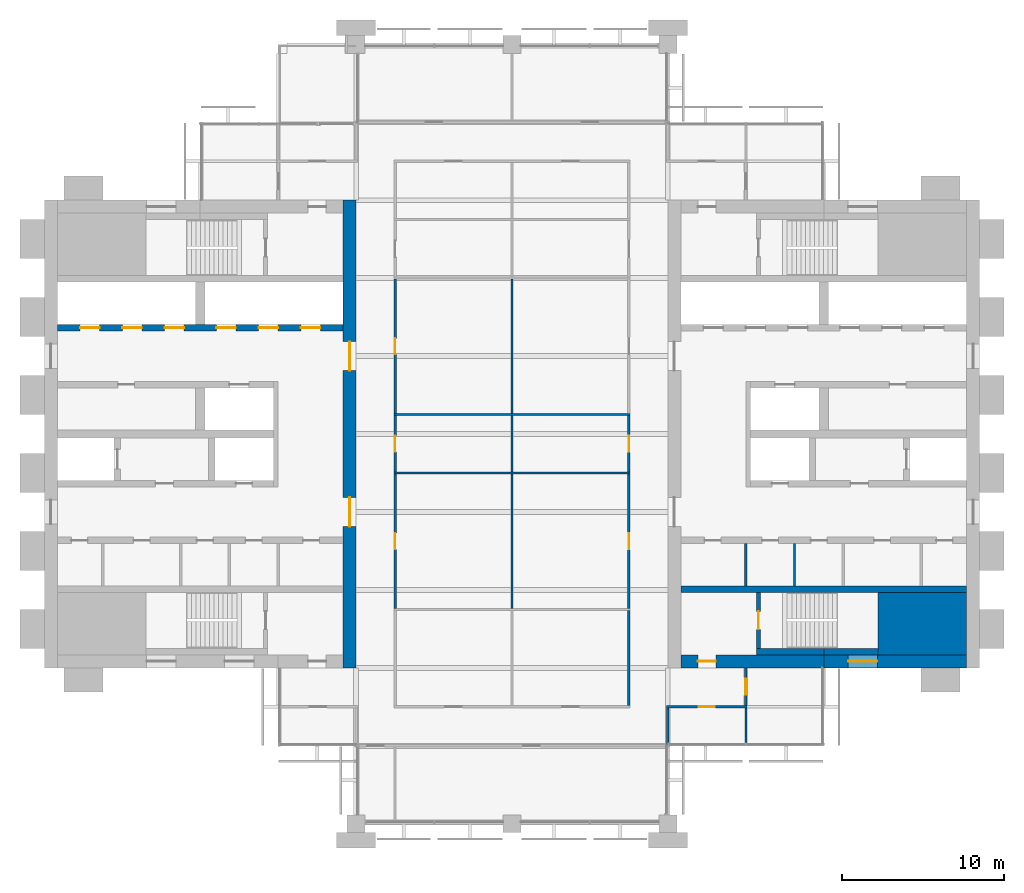
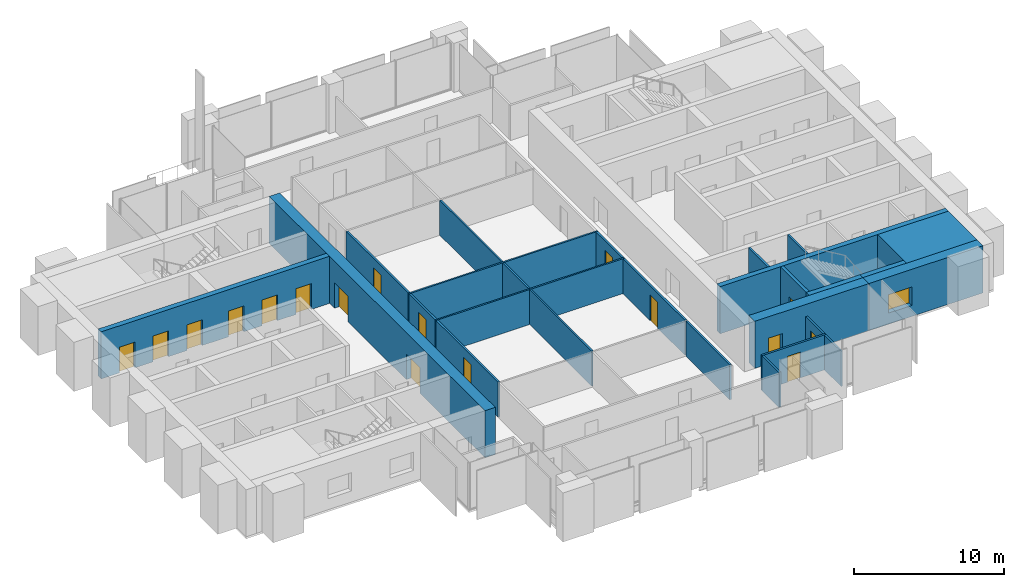
# One storey, part 9 of 13: 26 walls, 17 doors, 1 window, 18 openings.
"""IFC4 building model written with IfcOpenShell, lengths in metres."""

from ifc_helpers import new_model, si_unit, direction, frame, frame_2d, origin, place, context, subcontext, project, spatial, rectangle, extrude, material, layer, layer_set, type_object, element, fill, save


model = new_model("IFC4")

# Units and contexts
model_context = context("Model", 3, precision=1e-05, world=origin(), true_north=direction((0.0, 1.0)))
body_context = subcontext(model_context, "Body", "Model", "MODEL_VIEW")
ifc_project = project(units=[si_unit("LENGTHUNIT", "METRE"), si_unit("AREAUNIT", "SQUARE_METRE"), si_unit("VOLUMEUNIT", "CUBIC_METRE"), si_unit("PLANEANGLEUNIT", "RADIAN"), si_unit("MASSUNIT", "GRAM", prefix="KILO")], contexts=[model_context])

# Site, building, storey
site_placement = place(None, origin())
site = spatial("IfcSite", under=ifc_project, at=site_placement, CompositionType="ELEMENT")
building_placement = place(site_placement, origin())
building = spatial("IfcBuilding", under=site, at=building_placement, Name="Baori Bourse Tower", CompositionType="ELEMENT")
storey_placement = place(building_placement, frame((0.0, 0.0, 229.199951171875)))
storey = spatial("IfcBuildingStorey", under=building, at=storey_placement, Name="L50", CompositionType="ELEMENT", Elevation=229.199951171875)

# Walls
ifc_material_1 = material(Name="Concrete f'c 50 MPa", Category="concrete")
wall_type_1 = type_object("IfcWallType", Name="Core corner block f'c 50", PredefinedType="SHEAR", material=ifc_material_1)
wall_1_placement = place(storey_placement, frame((51.35009765625, 12.324951171875, 0.0), z_axis=(0.0, 0.0, 1.0), x_axis=(1.0, 0.0, 0.0)))
element("IfcWall", 1, at=wall_1_placement, inside=storey, type_object=wall_type_1, Name="Core wall E05", PredefinedType="SHEAR", context=body_context, shape_type="SweptSolid", body=[
    extrude(rectangle(XDim=5.449951171875, YDim=3.85009765625, at=frame_2d((2.72509765625, 0.0))), origin(), (0.0, 0.0, 1.0), 3.840087890625),
])
ifc_material_2 = material(Name="Blockwork partition", Category="masonry")
ifc_layer_1 = layer(ifc_material_2, 0.14990234375)
ifc_layer_set_1 = layer_set([ifc_layer_1], Name="Core partition 150")
wall_type_2 = type_object("IfcWallType", Name="Core partition 150", PredefinedType="PARTITIONING", material=ifc_layer_set_1)
for number, where, z_axis, x_axis, name in (
    (2, (46.199951171875, 14.64990234375, 0.0), (0.0, 0.0, 1.0), (0.0, 1.0, 0.0), "Partition wall E12"),
    (3, (43.199951171875, 14.64990234375, 0.0), (0.0, 0.0, 1.0), (0.0, 1.0, 0.0), "Partition wall E13"),
):
    element("IfcWall", number, at=place(storey_placement, frame(where, z_axis=z_axis, x_axis=x_axis)), inside=storey, type_object=wall_type_2, Name=name, PredefinedType="PARTITIONING", context=body_context, shape_type="SweptSolid", body=[
        extrude(rectangle(XDim=2.60009765625, YDim=0.14990234375, at=frame_2d((1.300048828125, 0.0))), origin(), (0.0, 0.0, 1.0), 3.840087890625),
    ])

# Wall, openings, doors
ifc_material_3 = material(Name="Concrete f'c 50 MPa", Category="concrete")
ifc_layer_2 = layer(ifc_material_3, 0.800048828125)
ifc_layer_set_2 = layer_set([ifc_layer_2], Name="Core wall 800 f'c 50")
wall_type_3 = type_object("IfcWallType", Name="Core wall 800 f'c 50", PredefinedType="SHEAR", material=ifc_layer_set_2)
wall_2_placement = place(storey_placement, frame((18.800048828125, 38.39990234375, 0.0), z_axis=(0.0, 0.0, 1.0), x_axis=(0.0, -1.0, 0.0)))
wall_2 = element("IfcWall", 4, at=wall_2_placement, inside=storey, type_object=wall_type_3, Name="Core wall W04", PredefinedType="SHEAR", context=body_context, shape_type="SweptSolid", body=[
    extrude(rectangle(XDim=28.7998046875, YDim=0.800048828125, at=frame_2d((14.39990234375, 0.0))), origin(), (0.0, 0.0, 1.0), 3.840087890625),
])
opening_1_placement = place(wall_2_placement, frame((18.300048828125, 0.0, 0.0)))
opening_1 = element("IfcOpeningElement", 5, at=opening_1_placement, cuts=wall_2, Name="Opening L50-D107", PredefinedType="OPENING", context=body_context, shape_type="SweptSolid", body=[
    extrude(rectangle(XDim=1.800048828125, YDim=2.10009765625, at=frame_2d((0.89990234375, 1.050048828125))), frame((0.0, 0.409912109375, 0.0), z_axis=(0.0, -1.0, 0.0), x_axis=(1.0, 0.0, 0.0)), (0.0, 0.0, 1.0), 0.820068359375),
])
opening_2_placement = place(wall_2_placement, frame((8.699951171875, 0.0, 0.0)))
opening_2 = element("IfcOpeningElement", 6, at=opening_2_placement, cuts=wall_2, Name="Opening L50-D108", PredefinedType="OPENING", context=body_context, shape_type="SweptSolid", body=[
    extrude(rectangle(XDim=1.800048828125, YDim=2.10009765625, at=frame_2d((0.89990234375, 1.050048828125))), frame((0.0, 0.409912109375, 0.0), z_axis=(0.0, -1.0, 0.0), x_axis=(1.0, 0.0, 0.0)), (0.0, 0.0, 1.0), 0.820068359375),
])
ifc_material_4 = material(Name="Painted steel door", Category="steel")
door_type_1 = type_object("IfcDoorType", Name="Core lobby door 1800", OperationType="DOUBLE_DOOR_SINGLE_SWING", PredefinedType="DOOR", material=ifc_material_4)
door_1_placement = place(opening_1_placement, origin())
door_1 = element("IfcDoor", 7, at=door_1_placement, inside=storey, type_object=door_type_1, Name="Lobby door W L50", OperationType="DOUBLE_DOOR_SINGLE_SWING", OverallHeight=2.10009765625, OverallWidth=1.800048828125, PredefinedType="DOOR", context=body_context, shape_type="SweptSolid", body=[
    extrude(rectangle(XDim=1.800048828125, YDim=2.10009765625, at=frame_2d((0.89990234375, 1.050048828125))), frame((0.0, 0.02490234375, 0.0), z_axis=(0.0, -1.0, 0.0), x_axis=(1.0, 0.0, 0.0)), (0.0, 0.0, 1.0), 0.050048828125),
])
fill(opening_1, door_1)
door_2_placement = place(opening_2_placement, origin())
door_2 = element("IfcDoor", 8, at=door_2_placement, inside=storey, type_object=door_type_1, Name="Lobby door W L50", OperationType="DOUBLE_DOOR_SINGLE_SWING", OverallHeight=2.10009765625, OverallWidth=1.800048828125, PredefinedType="DOOR", context=body_context, shape_type="SweptSolid", body=[
    extrude(rectangle(XDim=1.800048828125, YDim=2.10009765625, at=frame_2d((0.89990234375, 1.050048828125))), frame((0.0, 0.02490234375, 0.0), z_axis=(0.0, -1.0, 0.0), x_axis=(1.0, 0.0, 0.0)), (0.0, 0.0, 1.0), 0.050048828125),
])
fill(opening_2, door_2)

# Wall, opening, window
wall_3_placement = place(storey_placement, frame((56.800048828125, 10.0, 0.0), z_axis=(0.0, 0.0, 1.0), x_axis=(-1.0, 0.0, 0.0)))
wall_3 = element("IfcWall", 9, at=wall_3_placement, inside=storey, type_object=wall_type_3, Name="Core wall E02", PredefinedType="SHEAR", context=body_context, shape_type="SweptSolid", body=[
    extrude(rectangle(XDim=8.800048828125, YDim=0.800048828125, at=frame_2d((4.39990234375, 0.0))), origin(), (0.0, 0.0, 1.0), 3.840087890625),
])
opening_3_placement = place(wall_3_placement, frame((5.5, 0.0, 0.89990234375)))
opening_3 = element("IfcOpeningElement", 10, at=opening_3_placement, cuts=wall_3, Name="Opening L50-KW203", PredefinedType="OPENING", context=body_context, shape_type="SweptSolid", body=[
    extrude(rectangle(XDim=1.800048828125, YDim=1.5, at=frame_2d((0.89990234375, 0.75))), frame((0.0, 0.409912109375, 0.0), z_axis=(0.0, -1.0, 0.0), x_axis=(1.0, 0.0, 0.0)), (0.0, 0.0, 1.0), 0.820068359375),
])
ifc_material_5 = material(Name="Pale anodised aluminium", Category="aluminium")
window_type = type_object("IfcWindowType", Name="Stair window 1800 x 1500", PartitioningType="SINGLE_PANEL", PredefinedType="WINDOW", material=ifc_material_5)
window_placement = place(opening_3_placement, origin())
window = element("IfcWindow", 11, at=window_placement, inside=storey, type_object=window_type, Name="Stair window E L50 3", OverallHeight=1.5, OverallWidth=1.800048828125, PartitioningType="SINGLE_PANEL", PredefinedType="WINDOW", context=body_context, shape_type="SweptSolid", body=[
    extrude(rectangle(XDim=1.800048828125, YDim=1.5, at=frame_2d((0.89990234375, 0.75))), frame((0.0, 0.030029296875, 0.0), z_axis=(0.0, -1.0, 0.0), x_axis=(1.0, 0.0, 0.0)), (0.0, 0.0, 1.0), 0.06005859375),
])
fill(opening_3, window)

# Wall, opening, door
wall_4_placement = place(storey_placement, frame((48.0, 10.0, 0.0), z_axis=(0.0, 0.0, 1.0), x_axis=(-1.0, 0.0, 0.0)))
wall_4 = element("IfcWall", 12, at=wall_4_placement, inside=storey, type_object=wall_type_3, Name="Core wall E03", PredefinedType="SHEAR", context=body_context, shape_type="SweptSolid", body=[
    extrude(rectangle(XDim=8.800048828125, YDim=0.800048828125, at=frame_2d((4.39990234375, 0.0))), origin(), (0.0, 0.0, 1.0), 3.840087890625),
])
opening_4_placement = place(wall_4_placement, frame((6.64990234375, 0.0, 0.0)))
opening_4 = element("IfcOpeningElement", 13, at=opening_4_placement, cuts=wall_4, Name="Opening L50-D202", PredefinedType="OPENING", context=body_context, shape_type="SweptSolid", body=[
    extrude(rectangle(XDim=1.10009765625, YDim=2.10009765625, at=frame_2d((0.550048828125, 1.050048828125))), frame((0.0, 0.409912109375, 0.0), z_axis=(0.0, -1.0, 0.0), x_axis=(1.0, 0.0, 0.0)), (0.0, 0.0, 1.0), 0.820068359375),
])
ifc_material_6 = material(Name="Painted steel door", Category="steel")
door_type_2 = type_object("IfcDoorType", Name="Stair door 1100", OperationType="SINGLE_SWING_LEFT", PredefinedType="DOOR", material=ifc_material_6)
door_3_placement = place(opening_4_placement, origin())
door_3 = element("IfcDoor", 14, at=door_3_placement, inside=storey, type_object=door_type_2, Name="Stair vestibule door A E L50", OperationType="SINGLE_SWING_LEFT", OverallHeight=2.10009765625, OverallWidth=1.10009765625, PredefinedType="DOOR", context=body_context, shape_type="SweptSolid", body=[
    extrude(rectangle(XDim=1.10009765625, YDim=2.10009765625, at=frame_2d((0.550048828125, 1.050048828125))), frame((0.0, 0.02490234375, 0.0), z_axis=(0.0, -1.0, 0.0), x_axis=(1.0, 0.0, 0.0)), (0.0, 0.0, 1.0), 0.050048828125),
])
fill(opening_4, door_3)

ifc_material_7 = material(Name="Gypsum board partition")
ifc_layer_3 = layer(ifc_material_7, 0.14990234375)
ifc_layer_set_3 = layer_set([ifc_layer_3], Name="Corridor partition 150")
wall_type_4 = type_object("IfcWallType", Name="Corridor partition 150", PredefinedType="PARTITIONING", material=ifc_layer_set_3)
wall_5_placement = place(storey_placement, frame((38.324951171875, 7.199951171875, 0.0), z_axis=(0.0, 0.0, 1.0), x_axis=(1.0, 0.0, 0.0)))
wall_5 = element("IfcWall", 15, at=wall_5_placement, inside=storey, type_object=wall_type_4, Name="Partition", PredefinedType="PARTITIONING", context=body_context, shape_type="SweptSolid", body=[
    extrude(rectangle(XDim=4.949951171875, YDim=0.14990234375, at=frame_2d((2.47509765625, 0.0))), origin(), (0.0, 0.0, 1.0), 2.849365234375),
])
opening_5_placement = place(wall_5_placement, frame((1.97509765625, 0.0, 0.0)))
opening_5 = element("IfcOpeningElement", 16, at=opening_5_placement, cuts=wall_5, Name="Opening L50-D06", PredefinedType="OPENING", context=body_context, shape_type="SweptSolid", body=[
    extrude(rectangle(XDim=1.0, YDim=2.10009765625, at=frame_2d((0.5, 1.050048828125))), frame((0.0, 0.0849609375, 0.0), z_axis=(0.0, -1.0, 0.0), x_axis=(1.0, 0.0, 0.0)), (0.0, 0.0, 1.0), 0.169921875),
])
ifc_material_8 = material(Name="Timber door leaf", Category="wood")
door_type_3 = type_object("IfcDoorType", Name="Door 1000 x 2100", OperationType="SINGLE_SWING_LEFT", PredefinedType="DOOR", material=ifc_material_8)
door_4_placement = place(opening_5_placement, origin())
door_4 = element("IfcDoor", 17, at=door_4_placement, inside=storey, type_object=door_type_3, Name="Door", OperationType="SINGLE_SWING_LEFT", OverallHeight=2.10009765625, OverallWidth=1.0, PredefinedType="DOOR", context=body_context, shape_type="SweptSolid", body=[
    extrude(rectangle(XDim=1.0, YDim=2.10009765625, at=frame_2d((0.5, 1.050048828125))), frame((0.0, 0.02490234375, 0.0), z_axis=(0.0, -1.0, 0.0), x_axis=(1.0, 0.0, 0.0)), (0.0, 0.0, 1.0), 0.050048828125),
])
fill(opening_5, door_4)

wall_6_placement = place(storey_placement, frame((21.60009765625, 13.262451171875, 0.0), z_axis=(0.0, 0.0, 1.0), x_axis=(0.0, 1.0, 0.0)))
wall_6 = element("IfcWall", 18, at=wall_6_placement, inside=storey, type_object=wall_type_4, Name="Partition", PredefinedType="PARTITIONING", context=body_context, shape_type="SweptSolid", body=[
    extrude(rectangle(XDim=8.275146484375, YDim=0.14990234375, at=frame_2d((4.1376953125, 0.0))), origin(), (0.0, 0.0, 1.0), 2.849365234375),
])
opening_6_placement = place(wall_6_placement, frame((3.637451171875, 0.0, 0.0)))
opening_6 = element("IfcOpeningElement", 19, at=opening_6_placement, cuts=wall_6, Name="Opening L50-D14", PredefinedType="OPENING", context=body_context, shape_type="SweptSolid", body=[
    extrude(rectangle(XDim=1.0, YDim=2.10009765625, at=frame_2d((0.5, 1.050048828125))), frame((0.0, 0.0849609375, 0.0), z_axis=(0.0, -1.0, 0.0), x_axis=(1.0, 0.0, 0.0)), (0.0, 0.0, 1.0), 0.169921875),
])
door_5_placement = place(opening_6_placement, origin())
door_5 = element("IfcDoor", 20, at=door_5_placement, inside=storey, type_object=door_type_3, Name="Door", OperationType="SINGLE_SWING_LEFT", OverallHeight=2.10009765625, OverallWidth=1.0, PredefinedType="DOOR", context=body_context, shape_type="SweptSolid", body=[
    extrude(rectangle(XDim=1.0, YDim=2.10009765625, at=frame_2d((0.5, 1.050048828125))), frame((0.0, 0.02490234375, 0.0), z_axis=(0.0, -1.0, 0.0), x_axis=(1.0, 0.0, 0.0)), (0.0, 0.0, 1.0), 0.050048828125),
])
fill(opening_6, door_5)

wall_7_placement = place(storey_placement, frame((21.60009765625, 21.66259765625, 0.0), z_axis=(0.0, 0.0, 1.0), x_axis=(0.0, 1.0, 0.0)))
wall_7 = element("IfcWall", 21, at=wall_7_placement, inside=storey, type_object=wall_type_4, Name="Partition", PredefinedType="PARTITIONING", context=body_context, shape_type="SweptSolid", body=[
    extrude(rectangle(XDim=3.474853515625, YDim=0.14990234375, at=frame_2d((1.7373046875, 0.0))), origin(), (0.0, 0.0, 1.0), 2.849365234375),
])
opening_7_placement = place(wall_7_placement, frame((1.237548828125, 0.0, 0.0)))
opening_7 = element("IfcOpeningElement", 22, at=opening_7_placement, cuts=wall_7, Name="Opening L50-D15", PredefinedType="OPENING", context=body_context, shape_type="SweptSolid", body=[
    extrude(rectangle(XDim=1.0, YDim=2.10009765625, at=frame_2d((0.5, 1.050048828125))), frame((0.0, 0.0849609375, 0.0), z_axis=(0.0, -1.0, 0.0), x_axis=(1.0, 0.0, 0.0)), (0.0, 0.0, 1.0), 0.169921875),
])
door_6_placement = place(opening_7_placement, origin())
door_6 = element("IfcDoor", 23, at=door_6_placement, inside=storey, type_object=door_type_3, Name="Door", OperationType="SINGLE_SWING_LEFT", OverallHeight=2.10009765625, OverallWidth=1.0, PredefinedType="DOOR", context=body_context, shape_type="SweptSolid", body=[
    extrude(rectangle(XDim=1.0, YDim=2.10009765625, at=frame_2d((0.5, 1.050048828125))), frame((0.0, 0.02490234375, 0.0), z_axis=(0.0, -1.0, 0.0), x_axis=(1.0, 0.0, 0.0)), (0.0, 0.0, 1.0), 0.050048828125),
])
fill(opening_7, door_6)

wall_8_placement = place(storey_placement, frame((21.60009765625, 25.262451171875, 0.0), z_axis=(0.0, 0.0, 1.0), x_axis=(0.0, 1.0, 0.0)))
wall_8 = element("IfcWall", 24, at=wall_8_placement, inside=storey, type_object=wall_type_4, Name="Partition", PredefinedType="PARTITIONING", context=body_context, shape_type="SweptSolid", body=[
    extrude(rectangle(XDim=8.275146484375, YDim=0.14990234375, at=frame_2d((4.1376953125, 0.0))), origin(), (0.0, 0.0, 1.0), 2.849365234375),
])
opening_8_placement = place(wall_8_placement, frame((3.637451171875, 0.0, 0.0)))
opening_8 = element("IfcOpeningElement", 25, at=opening_8_placement, cuts=wall_8, Name="Opening L50-D16", PredefinedType="OPENING", context=body_context, shape_type="SweptSolid", body=[
    extrude(rectangle(XDim=1.0, YDim=2.10009765625, at=frame_2d((0.5, 1.050048828125))), frame((0.0, 0.0849609375, 0.0), z_axis=(0.0, -1.0, 0.0), x_axis=(1.0, 0.0, 0.0)), (0.0, 0.0, 1.0), 0.169921875),
])
door_7_placement = place(opening_8_placement, origin())
door_7 = element("IfcDoor", 26, at=door_7_placement, inside=storey, type_object=door_type_3, Name="Door", OperationType="SINGLE_SWING_LEFT", OverallHeight=2.10009765625, OverallWidth=1.0, PredefinedType="DOOR", context=body_context, shape_type="SweptSolid", body=[
    extrude(rectangle(XDim=1.0, YDim=2.10009765625, at=frame_2d((0.5, 1.050048828125))), frame((0.0, 0.02490234375, 0.0), z_axis=(0.0, -1.0, 0.0), x_axis=(1.0, 0.0, 0.0)), (0.0, 0.0, 1.0), 0.050048828125),
])
fill(opening_8, door_7)

# Wall
wall_9_placement = place(storey_placement, frame((36.0, 7.27490234375, 0.0), z_axis=(0.0, 0.0, 1.0), x_axis=(0.0, 1.0, 0.0)))
element("IfcWall", 27, at=wall_9_placement, inside=storey, type_object=wall_type_4, Name="Partition", PredefinedType="PARTITIONING", context=body_context, shape_type="SweptSolid", body=[
    extrude(rectangle(XDim=5.862548828125, YDim=0.14990234375, at=frame_2d((2.93115234375, 0.0))), origin(), (0.0, 0.0, 1.0), 2.849365234375),
])

# Wall, opening, door
wall_10_placement = place(storey_placement, frame((36.0, 13.262451171875, 0.0), z_axis=(0.0, 0.0, 1.0), x_axis=(0.0, 1.0, 0.0)))
wall_10 = element("IfcWall", 28, at=wall_10_placement, inside=storey, type_object=wall_type_4, Name="Partition", PredefinedType="PARTITIONING", context=body_context, shape_type="SweptSolid", body=[
    extrude(rectangle(XDim=8.275146484375, YDim=0.14990234375, at=frame_2d((4.1376953125, 0.0))), origin(), (0.0, 0.0, 1.0), 2.849365234375),
])
opening_9_placement = place(wall_10_placement, frame((3.637451171875, 0.0, 0.0)))
opening_9 = element("IfcOpeningElement", 29, at=opening_9_placement, cuts=wall_10, Name="Opening L50-D18", PredefinedType="OPENING", context=body_context, shape_type="SweptSolid", body=[
    extrude(rectangle(XDim=1.0, YDim=2.10009765625, at=frame_2d((0.5, 1.050048828125))), frame((0.0, 0.0849609375, 0.0), z_axis=(0.0, -1.0, 0.0), x_axis=(1.0, 0.0, 0.0)), (0.0, 0.0, 1.0), 0.169921875),
])
door_8_placement = place(opening_9_placement, origin())
door_8 = element("IfcDoor", 30, at=door_8_placement, inside=storey, type_object=door_type_3, Name="Door", OperationType="SINGLE_SWING_RIGHT", OverallHeight=2.10009765625, OverallWidth=1.0, PredefinedType="DOOR", context=body_context, shape_type="SweptSolid", body=[
    extrude(rectangle(XDim=1.0, YDim=2.10009765625, at=frame_2d((0.5, 1.050048828125))), frame((0.0, 0.02490234375, 0.0), z_axis=(0.0, -1.0, 0.0), x_axis=(1.0, 0.0, 0.0)), (0.0, 0.0, 1.0), 0.050048828125),
])
fill(opening_9, door_8)

wall_11_placement = place(storey_placement, frame((36.0, 21.66259765625, 0.0), z_axis=(0.0, 0.0, 1.0), x_axis=(0.0, 1.0, 0.0)))
wall_11 = element("IfcWall", 31, at=wall_11_placement, inside=storey, type_object=wall_type_4, Name="Partition", PredefinedType="PARTITIONING", context=body_context, shape_type="SweptSolid", body=[
    extrude(rectangle(XDim=3.474853515625, YDim=0.14990234375, at=frame_2d((1.7373046875, 0.0))), origin(), (0.0, 0.0, 1.0), 2.849365234375),
])
opening_10_placement = place(wall_11_placement, frame((1.237548828125, 0.0, 0.0)))
opening_10 = element("IfcOpeningElement", 32, at=opening_10_placement, cuts=wall_11, Name="Opening L50-D19", PredefinedType="OPENING", context=body_context, shape_type="SweptSolid", body=[
    extrude(rectangle(XDim=1.0, YDim=2.10009765625, at=frame_2d((0.5, 1.050048828125))), frame((0.0, 0.0849609375, 0.0), z_axis=(0.0, -1.0, 0.0), x_axis=(1.0, 0.0, 0.0)), (0.0, 0.0, 1.0), 0.169921875),
])
door_9_placement = place(opening_10_placement, origin())
door_9 = element("IfcDoor", 33, at=door_9_placement, inside=storey, type_object=door_type_3, Name="Door", OperationType="SINGLE_SWING_RIGHT", OverallHeight=2.10009765625, OverallWidth=1.0, PredefinedType="DOOR", context=body_context, shape_type="SweptSolid", body=[
    extrude(rectangle(XDim=1.0, YDim=2.10009765625, at=frame_2d((0.5, 1.050048828125))), frame((0.0, 0.02490234375, 0.0), z_axis=(0.0, -1.0, 0.0), x_axis=(1.0, 0.0, 0.0)), (0.0, 0.0, 1.0), 0.050048828125),
])
fill(opening_10, door_9)

# Wall
wall_12_placement = place(storey_placement, frame((38.39990234375, 4.875, 0.0), z_axis=(0.0, 0.0, 1.0), x_axis=(0.0, 1.0, 0.0)))
element("IfcWall", 34, at=wall_12_placement, inside=storey, type_object=wall_type_4, Name="Partition", PredefinedType="PARTITIONING", context=body_context, shape_type="SweptSolid", body=[
    extrude(rectangle(XDim=2.25, YDim=0.14990234375, at=frame_2d((1.125, 0.0))), origin(), (0.0, 0.0, 1.0), 2.849365234375),
])

# Wall, opening, door
wall_13_placement = place(storey_placement, frame((43.199951171875, 7.27490234375, 0.0), z_axis=(0.0, 0.0, 1.0), x_axis=(0.0, 1.0, 0.0)))
wall_13 = element("IfcWall", 35, at=wall_13_placement, inside=storey, type_object=wall_type_4, Name="Partition", PredefinedType="PARTITIONING", context=body_context, shape_type="SweptSolid", body=[
    extrude(rectangle(XDim=2.3251953125, YDim=0.14990234375, at=frame_2d((1.16259765625, 0.0))), origin(), (0.0, 0.0, 1.0), 2.849365234375),
])
opening_11_placement = place(wall_13_placement, frame((0.66259765625, 0.0, 0.0)))
opening_11 = element("IfcOpeningElement", 36, at=opening_11_placement, cuts=wall_13, Name="Opening L50-D22", PredefinedType="OPENING", context=body_context, shape_type="SweptSolid", body=[
    extrude(rectangle(XDim=1.0, YDim=2.10009765625, at=frame_2d((0.5, 1.050048828125))), frame((0.0, 0.0849609375, 0.0), z_axis=(0.0, -1.0, 0.0), x_axis=(1.0, 0.0, 0.0)), (0.0, 0.0, 1.0), 0.169921875),
])
door_10_placement = place(opening_11_placement, origin())
door_10 = element("IfcDoor", 37, at=door_10_placement, inside=storey, type_object=door_type_3, Name="Door", OperationType="SINGLE_SWING_LEFT", OverallHeight=2.10009765625, OverallWidth=1.0, PredefinedType="DOOR", context=body_context, shape_type="SweptSolid", body=[
    extrude(rectangle(XDim=1.0, YDim=2.10009765625, at=frame_2d((0.5, 1.050048828125))), frame((0.0, 0.02490234375, 0.0), z_axis=(0.0, -1.0, 0.0), x_axis=(1.0, 0.0, 0.0)), (0.0, 0.0, 1.0), 0.050048828125),
])
fill(opening_11, door_10)

# Walls
ifc_material_9 = material(Name="Gypsum board partition")
ifc_layer_4 = layer(ifc_material_9, 0.125)
ifc_layer_set_4 = layer_set([ifc_layer_4], Name="Partition 125")
wall_type_5 = type_object("IfcWallType", Name="Partition 125", PredefinedType="PARTITIONING", material=ifc_layer_set_4)
for number, where, z_axis, x_axis, name in (
    (38, (21.52490234375, 21.60009765625, 0.0), (0.0, 0.0, 1.0), (1.0, 0.0, 0.0), "Partition"),
    (39, (21.52490234375, 25.199951171875, 0.0), (0.0, 0.0, 1.0), (1.0, 0.0, 0.0), "Partition"),
):
    element("IfcWall", number, at=place(storey_placement, frame(where, z_axis=z_axis, x_axis=x_axis)), inside=storey, type_object=wall_type_5, Name=name, PredefinedType="PARTITIONING", context=body_context, shape_type="SweptSolid", body=[
        extrude(rectangle(XDim=14.550048828125, YDim=0.125, at=frame_2d((7.27490234375, 0.0))), origin(), (0.0, 0.0, 1.0), 2.849365234375),
    ])
wall_14_placement = place(storey_placement, frame((28.800048828125, 13.262451171875, 0.0), z_axis=(0.0, 0.0, 1.0), x_axis=(0.0, 1.0, 0.0)))
element("IfcWall", 40, at=wall_14_placement, inside=storey, type_object=wall_type_5, Name="Partition", PredefinedType="PARTITIONING", context=body_context, shape_type="SweptSolid", body=[
    extrude(rectangle(XDim=8.275146484375, YDim=0.125, at=frame_2d((4.1376953125, 0.0))), origin(), (0.0, 0.0, 1.0), 2.849365234375),
])
wall_15_placement = place(storey_placement, frame((28.800048828125, 21.66259765625, 0.0), z_axis=(0.0, 0.0, 1.0), x_axis=(0.0, 1.0, 0.0)))
element("IfcWall", 41, at=wall_15_placement, inside=storey, type_object=wall_type_5, Name="Partition", PredefinedType="PARTITIONING", context=body_context, shape_type="SweptSolid", body=[
    extrude(rectangle(XDim=3.474853515625, YDim=0.125, at=frame_2d((1.7373046875, 0.0))), origin(), (0.0, 0.0, 1.0), 2.849365234375),
])
wall_16_placement = place(storey_placement, frame((28.800048828125, 25.262451171875, 0.0), z_axis=(0.0, 0.0, 1.0), x_axis=(0.0, 1.0, 0.0)))
element("IfcWall", 42, at=wall_16_placement, inside=storey, type_object=wall_type_5, Name="Partition", PredefinedType="PARTITIONING", context=body_context, shape_type="SweptSolid", body=[
    extrude(rectangle(XDim=8.275146484375, YDim=0.125, at=frame_2d((4.1376953125, 0.0))), origin(), (0.0, 0.0, 1.0), 2.849365234375),
])
wall_17_placement = place(storey_placement, frame((43.199951171875, 4.89990234375, 0.0), z_axis=(0.0, 0.0, 1.0), x_axis=(0.0, 1.0, 0.0)))
element("IfcWall", 43, at=wall_17_placement, inside=storey, type_object=wall_type_5, Name="Partition", PredefinedType="PARTITIONING", context=body_context, shape_type="SweptSolid", body=[
    extrude(rectangle(XDim=2.22509765625, YDim=0.125, at=frame_2d((1.112548828125, 0.0))), origin(), (0.0, 0.0, 1.0), 2.849365234375),
])

# Wall, opening, door
ifc_material_10 = material(Name="Concrete f'c 50 MPa", Category="concrete")
ifc_layer_5 = layer(ifc_material_10, 0.25)
ifc_layer_set_5 = layer_set([ifc_layer_5], Name="Shaft wall 250 f'c 50")
wall_type_6 = type_object("IfcWallType", Name="Shaft wall 250 f'c 50", PredefinedType="SHEAR", material=ifc_layer_set_5)
wall_18_placement = place(storey_placement, frame((43.97509765625, 10.800048828125, 0.0), z_axis=(0.0, 0.0, 1.0), x_axis=(0.0, 1.0, 0.0)))
wall_18 = element("IfcWall", 44, at=wall_18_placement, inside=storey, type_object=wall_type_6, Name="Core wall E08", PredefinedType="SHEAR", context=body_context, shape_type="SweptSolid", body=[
    extrude(rectangle(XDim=3.449951171875, YDim=0.25, at=frame_2d((1.72509765625, 0.0))), origin(), (0.0, 0.0, 1.0), 3.840087890625),
])
opening_12_placement = place(wall_18_placement, frame((1.175048828125, 0.0, 0.0)))
opening_12 = element("IfcOpeningElement", 45, at=opening_12_placement, cuts=wall_18, Name="Opening L50-D201", PredefinedType="OPENING", context=body_context, shape_type="SweptSolid", body=[
    extrude(rectangle(XDim=1.10009765625, YDim=2.10009765625, at=frame_2d((0.550048828125, 1.050048828125))), frame((0.0, 0.135009765625, 0.0), z_axis=(0.0, -1.0, 0.0), x_axis=(1.0, 0.0, 0.0)), (0.0, 0.0, 1.0), 0.27001953125),
])
door_11_placement = place(opening_12_placement, origin())
door_11 = element("IfcDoor", 46, at=door_11_placement, inside=storey, type_object=door_type_2, Name="Stair door A E L50", OperationType="SINGLE_SWING_LEFT", OverallHeight=2.10009765625, OverallWidth=1.10009765625, PredefinedType="DOOR", context=body_context, shape_type="SweptSolid", body=[
    extrude(rectangle(XDim=1.10009765625, YDim=2.10009765625, at=frame_2d((0.550048828125, 1.050048828125))), frame((0.0, 0.02490234375, 0.0), z_axis=(0.0, -1.0, 0.0), x_axis=(1.0, 0.0, 0.0)), (0.0, 0.0, 1.0), 0.050048828125),
])
fill(opening_12, door_11)

# Wall, openings, doors
ifc_material_11 = material(Name="Concrete f'c 50 MPa", Category="concrete")
ifc_layer_6 = layer(ifc_material_11, 0.39990234375)
ifc_layer_set_6 = layer_set([ifc_layer_6], Name="Shaft wall 400 f'c 50")
wall_type_7 = type_object("IfcWallType", Name="Shaft wall 400 f'c 50", PredefinedType="SHEAR", material=ifc_layer_set_6)
wall_19_placement = place(storey_placement, frame((0.800048828125, 30.550048828125, 0.0), z_axis=(0.0, 0.0, 1.0), x_axis=(1.0, 0.0, 0.0)))
wall_19 = element("IfcWall", 47, at=wall_19_placement, inside=storey, type_object=wall_type_7, Name="Core wall W21", PredefinedType="SHEAR", context=body_context, shape_type="SweptSolid", body=[
    extrude(rectangle(XDim=17.599853515625, YDim=0.39990234375, at=frame_2d((8.7998046875, 0.0))), origin(), (0.0, 0.0, 1.0), 3.840087890625),
])
opening_13_placement = place(wall_19_placement, frame((1.39990234375, 0.0, 0.0)))
opening_13 = element("IfcOpeningElement", 48, at=opening_13_placement, cuts=wall_19, Name="Opening L50-D115", PredefinedType="OPENING", context=body_context, shape_type="SweptSolid", body=[
    extrude(rectangle(XDim=1.199951171875, YDim=2.10009765625, at=frame_2d((0.60009765625, 1.050048828125))), frame((0.0, 0.2099609375, 0.0), z_axis=(0.0, -1.0, 0.0), x_axis=(1.0, 0.0, 0.0)), (0.0, 0.0, 1.0), 0.419921875),
])
opening_14_placement = place(wall_19_placement, frame((4.0, 0.0, 0.0)))
opening_14 = element("IfcOpeningElement", 49, at=opening_14_placement, cuts=wall_19, Name="Opening L50-D116", PredefinedType="OPENING", context=body_context, shape_type="SweptSolid", body=[
    extrude(rectangle(XDim=1.199951171875, YDim=2.10009765625, at=frame_2d((0.60009765625, 1.050048828125))), frame((0.0, 0.2099609375, 0.0), z_axis=(0.0, -1.0, 0.0), x_axis=(1.0, 0.0, 0.0)), (0.0, 0.0, 1.0), 0.419921875),
])
opening_15_placement = place(wall_19_placement, frame((6.60009765625, 0.0, 0.0)))
opening_15 = element("IfcOpeningElement", 50, at=opening_15_placement, cuts=wall_19, Name="Opening L50-D117", PredefinedType="OPENING", context=body_context, shape_type="SweptSolid", body=[
    extrude(rectangle(XDim=1.199951171875, YDim=2.10009765625, at=frame_2d((0.60009765625, 1.050048828125))), frame((0.0, 0.2099609375, 0.0), z_axis=(0.0, -1.0, 0.0), x_axis=(1.0, 0.0, 0.0)), (0.0, 0.0, 1.0), 0.419921875),
])
opening_16_placement = place(wall_19_placement, frame((9.800048828125, 0.0, 0.0)))
opening_16 = element("IfcOpeningElement", 51, at=opening_16_placement, cuts=wall_19, Name="Opening L50-D118", PredefinedType="OPENING", context=body_context, shape_type="SweptSolid", body=[
    extrude(rectangle(XDim=1.199951171875, YDim=2.10009765625, at=frame_2d((0.60009765625, 1.050048828125))), frame((0.0, 0.2099609375, 0.0), z_axis=(0.0, -1.0, 0.0), x_axis=(1.0, 0.0, 0.0)), (0.0, 0.0, 1.0), 0.419921875),
])
opening_17_placement = place(wall_19_placement, frame((12.39990234375, 0.0, 0.0)))
opening_17 = element("IfcOpeningElement", 52, at=opening_17_placement, cuts=wall_19, Name="Opening L50-D119", PredefinedType="OPENING", context=body_context, shape_type="SweptSolid", body=[
    extrude(rectangle(XDim=1.199951171875, YDim=2.10009765625, at=frame_2d((0.60009765625, 1.050048828125))), frame((0.0, 0.2099609375, 0.0), z_axis=(0.0, -1.0, 0.0), x_axis=(1.0, 0.0, 0.0)), (0.0, 0.0, 1.0), 0.419921875),
])
opening_18_placement = place(wall_19_placement, frame((15.0, 0.0, 0.0)))
opening_18 = element("IfcOpeningElement", 53, at=opening_18_placement, cuts=wall_19, Name="Opening L50-D120", PredefinedType="OPENING", context=body_context, shape_type="SweptSolid", body=[
    extrude(rectangle(XDim=1.199951171875, YDim=2.10009765625, at=frame_2d((0.60009765625, 1.050048828125))), frame((0.0, 0.2099609375, 0.0), z_axis=(0.0, -1.0, 0.0), x_axis=(1.0, 0.0, 0.0)), (0.0, 0.0, 1.0), 0.419921875),
])
ifc_material_12 = material(Name="Stainless steel door", Category="steel")
door_type_4 = type_object("IfcDoorType", Name="Lift landing door", OperationType="DOUBLE_DOOR_SLIDING", PredefinedType="DOOR", material=ifc_material_12)
door_12_placement = place(opening_13_placement, origin())
door_12 = element("IfcDoor", 54, at=door_12_placement, inside=storey, type_object=door_type_4, Name="Lift landing door HR1 W L50", OperationType="DOUBLE_DOOR_SLIDING", OverallHeight=2.10009765625, OverallWidth=1.199951171875, PredefinedType="DOOR", context=body_context, shape_type="SweptSolid", body=[
    extrude(rectangle(XDim=1.199951171875, YDim=2.10009765625, at=frame_2d((0.60009765625, 1.050048828125))), frame((0.0, 0.02490234375, 0.0), z_axis=(0.0, -1.0, 0.0), x_axis=(1.0, 0.0, 0.0)), (0.0, 0.0, 1.0), 0.050048828125),
])
fill(opening_13, door_12)
door_13_placement = place(opening_14_placement, origin())
door_13 = element("IfcDoor", 55, at=door_13_placement, inside=storey, type_object=door_type_4, Name="Lift landing door HR2 W L50", OperationType="DOUBLE_DOOR_SLIDING", OverallHeight=2.10009765625, OverallWidth=1.199951171875, PredefinedType="DOOR", context=body_context, shape_type="SweptSolid", body=[
    extrude(rectangle(XDim=1.199951171875, YDim=2.10009765625, at=frame_2d((0.60009765625, 1.050048828125))), frame((0.0, 0.02490234375, 0.0), z_axis=(0.0, -1.0, 0.0), x_axis=(1.0, 0.0, 0.0)), (0.0, 0.0, 1.0), 0.050048828125),
])
fill(opening_14, door_13)
door_14_placement = place(opening_15_placement, origin())
door_14 = element("IfcDoor", 56, at=door_14_placement, inside=storey, type_object=door_type_4, Name="Lift landing door HR3 W L50", OperationType="DOUBLE_DOOR_SLIDING", OverallHeight=2.10009765625, OverallWidth=1.199951171875, PredefinedType="DOOR", context=body_context, shape_type="SweptSolid", body=[
    extrude(rectangle(XDim=1.199951171875, YDim=2.10009765625, at=frame_2d((0.60009765625, 1.050048828125))), frame((0.0, 0.02490234375, 0.0), z_axis=(0.0, -1.0, 0.0), x_axis=(1.0, 0.0, 0.0)), (0.0, 0.0, 1.0), 0.050048828125),
])
fill(opening_15, door_14)
door_15_placement = place(opening_16_placement, origin())
door_15 = element("IfcDoor", 57, at=door_15_placement, inside=storey, type_object=door_type_4, Name="Lift landing door HR4 W L50", OperationType="DOUBLE_DOOR_SLIDING", OverallHeight=2.10009765625, OverallWidth=1.199951171875, PredefinedType="DOOR", context=body_context, shape_type="SweptSolid", body=[
    extrude(rectangle(XDim=1.199951171875, YDim=2.10009765625, at=frame_2d((0.60009765625, 1.050048828125))), frame((0.0, 0.02490234375, 0.0), z_axis=(0.0, -1.0, 0.0), x_axis=(1.0, 0.0, 0.0)), (0.0, 0.0, 1.0), 0.050048828125),
])
fill(opening_16, door_15)
door_16_placement = place(opening_17_placement, origin())
door_16 = element("IfcDoor", 58, at=door_16_placement, inside=storey, type_object=door_type_4, Name="Lift landing door HR5 W L50", OperationType="DOUBLE_DOOR_SLIDING", OverallHeight=2.10009765625, OverallWidth=1.199951171875, PredefinedType="DOOR", context=body_context, shape_type="SweptSolid", body=[
    extrude(rectangle(XDim=1.199951171875, YDim=2.10009765625, at=frame_2d((0.60009765625, 1.050048828125))), frame((0.0, 0.02490234375, 0.0), z_axis=(0.0, -1.0, 0.0), x_axis=(1.0, 0.0, 0.0)), (0.0, 0.0, 1.0), 0.050048828125),
])
fill(opening_17, door_16)
door_17_placement = place(opening_18_placement, origin())
door_17 = element("IfcDoor", 59, at=door_17_placement, inside=storey, type_object=door_type_4, Name="Lift landing door HR6 W L50", OperationType="DOUBLE_DOOR_SLIDING", OverallHeight=2.10009765625, OverallWidth=1.199951171875, PredefinedType="DOOR", context=body_context, shape_type="SweptSolid", body=[
    extrude(rectangle(XDim=1.199951171875, YDim=2.10009765625, at=frame_2d((0.60009765625, 1.050048828125))), frame((0.0, 0.02490234375, 0.0), z_axis=(0.0, -1.0, 0.0), x_axis=(1.0, 0.0, 0.0)), (0.0, 0.0, 1.0), 0.050048828125),
])
fill(opening_18, door_17)

# Walls
wall_20_placement = place(storey_placement, frame((48.0, 10.60009765625, 0.0), z_axis=(0.0, 0.0, 1.0), x_axis=(1.0, 0.0, 0.0)))
element("IfcWall", 60, at=wall_20_placement, inside=storey, type_object=wall_type_7, Name="Core wall E06", PredefinedType="SHEAR", context=body_context, shape_type="SweptSolid", body=[
    extrude(rectangle(XDim=3.35009765625, YDim=0.39990234375, at=frame_2d((1.675048828125, 0.0))), origin(), (0.0, 0.0, 1.0), 3.840087890625),
])
wall_21_placement = place(storey_placement, frame((43.85009765625, 10.60009765625, 0.0), z_axis=(0.0, 0.0, 1.0), x_axis=(1.0, 0.0, 0.0)))
element("IfcWall", 61, at=wall_21_placement, inside=storey, type_object=wall_type_7, Name="Core wall E07", PredefinedType="SHEAR", context=body_context, shape_type="SweptSolid", body=[
    extrude(rectangle(XDim=4.14990234375, YDim=0.39990234375, at=frame_2d((2.074951171875, 0.0))), origin(), (0.0, 0.0, 1.0), 3.840087890625),
])
wall_22_placement = place(storey_placement, frame((39.199951171875, 14.449951171875, 0.0), z_axis=(0.0, 0.0, 1.0), x_axis=(1.0, 0.0, 0.0)))
element("IfcWall", 62, at=wall_22_placement, inside=storey, type_object=wall_type_7, Name="Core wall E09", PredefinedType="SHEAR", context=body_context, shape_type="SweptSolid", body=[
    extrude(rectangle(XDim=17.60009765625, YDim=0.39990234375, at=frame_2d((8.800048828125, 0.0))), origin(), (0.0, 0.0, 1.0), 3.840087890625),
])

save(model, "model.ifc")
